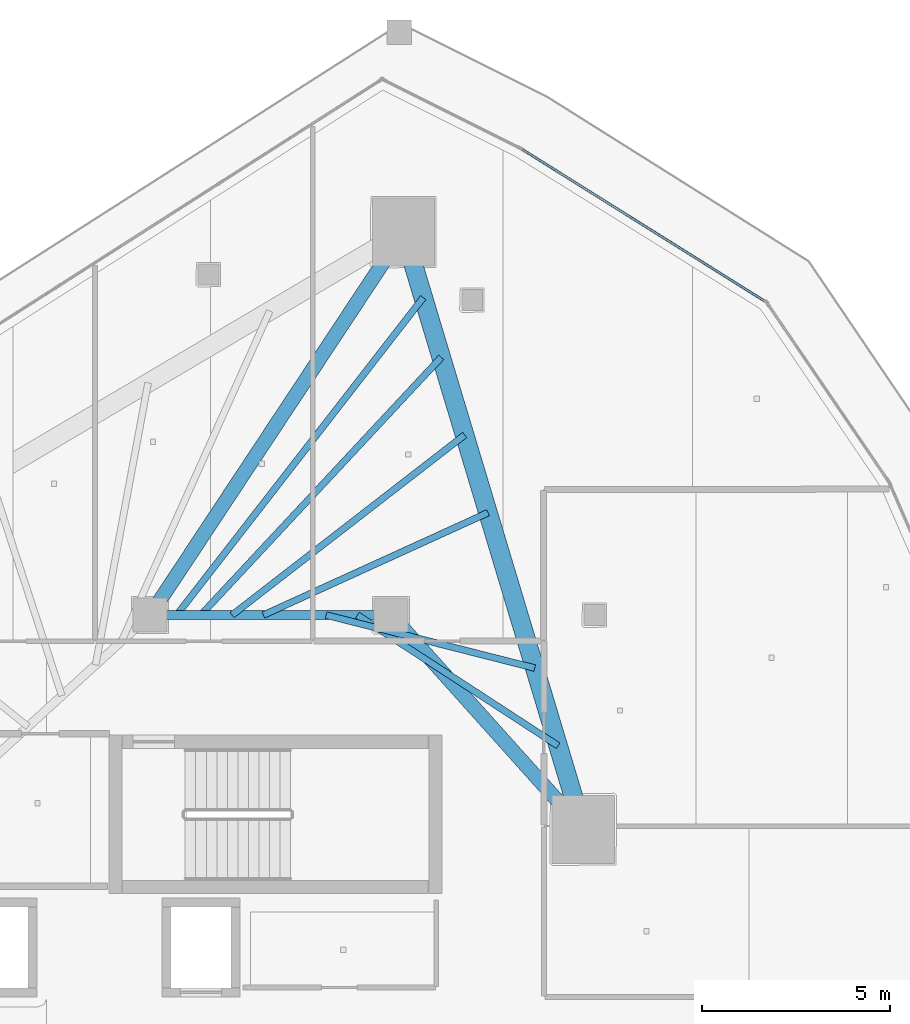
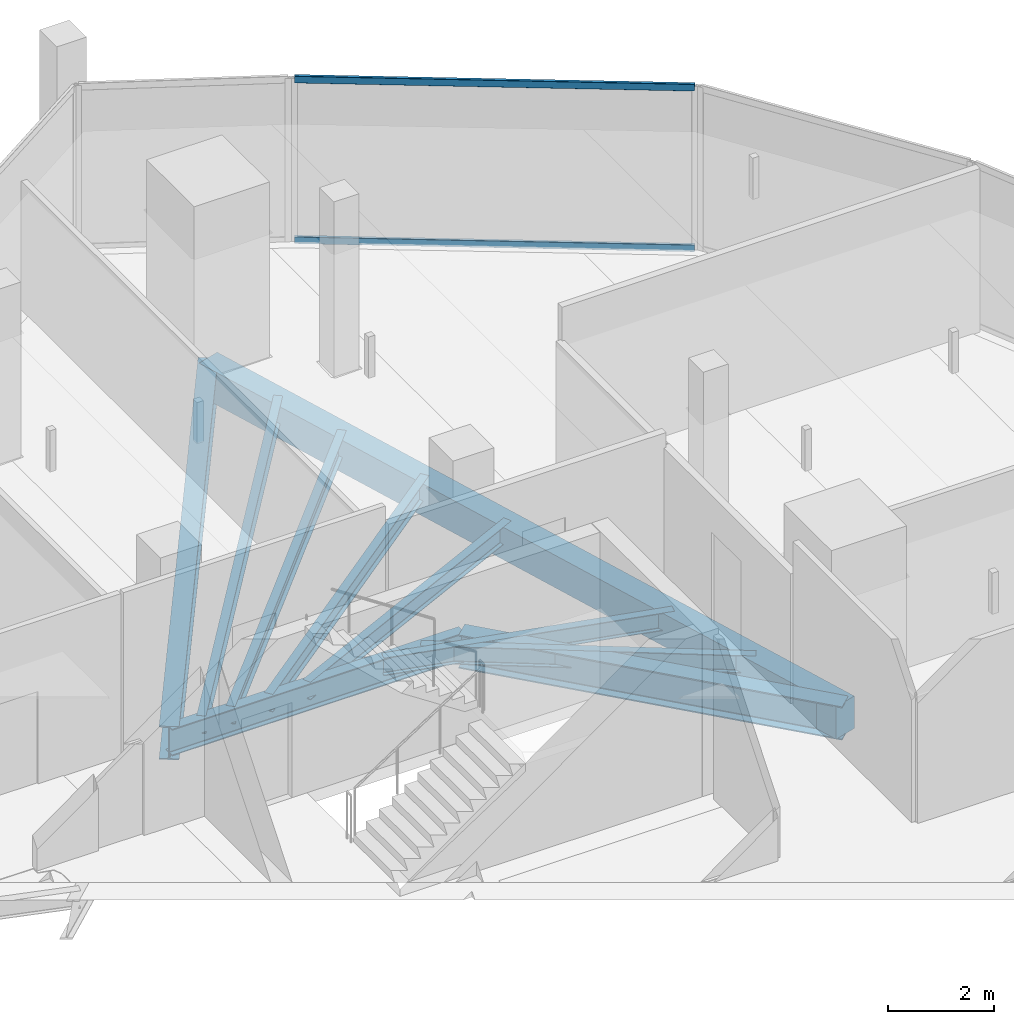
# One storey, part 18 of 36: 10 beams, 2 members, 1 element without a shape of its own.
"""IFC4 building model written with IfcOpenShell, lengths in metres."""

from ifc_helpers import new_model, si_unit, direction, frame, origin, origin_2d, place, context, subcontext, project, spatial, rectangle, hollow_rectangle, i_section, extrude, material, layer, layer_set, material_profile, profile_set, type_object, element, aggregate, save


model = new_model("IFC4")

# Units and contexts
model_context = context("Model", 3, precision=1e-05, world=origin(), true_north=direction((0.0, 1.0)))
body_context = subcontext(model_context, "Body", "Model", "MODEL_VIEW")
ifc_project = project(units=[si_unit("LENGTHUNIT", "METRE"), si_unit("AREAUNIT", "SQUARE_METRE"), si_unit("VOLUMEUNIT", "CUBIC_METRE"), si_unit("PLANEANGLEUNIT", "RADIAN"), si_unit("MASSUNIT", "GRAM", prefix="KILO")], contexts=[model_context])

# Site, building, storey
site_placement = place(None, origin())
site = spatial("IfcSite", under=ifc_project, at=site_placement, CompositionType="ELEMENT")
building_placement = place(site_placement, origin())
building = spatial("IfcBuilding", under=site, at=building_placement, Name="Qorvath Tower", CompositionType="ELEMENT")
storey_placement = place(building_placement, frame((0.0, 0.0, 241.5)))
storey = spatial("IfcBuildingStorey", under=building, at=storey_placement, Name="L56", CompositionType="ELEMENT", Elevation=241.5)

# Beams
ifc_material_1 = material(Name="Steel ASTM A992 Grade 50", Category="steel")
ifc_material_profile_1 = material_profile(ifc_material_1, i_section(OverallWidth=0.381103515625, OverallDepth=0.77294921875, WebThickness=0.0166015625, FlangeThickness=0.027099609375, FilletRadius=0.01904296875, at=origin_2d()), Name="W30x173")
ifc_profile_set_1 = profile_set([ifc_material_profile_1], Name="Steel ASTM A992 Grade 50")
beam_type_1 = type_object("IfcBeamType", Name="BM-FG3", PredefinedType="BEAM", material=ifc_profile_set_1)
beam_1_placement = place(storey_placement, frame((-23.60009765625, 11.449951171875, -0.656494140625), z_axis=(0.551500517741, 0.834174549439, 0.0), x_axis=(-0.834174549439, 0.551500517741, 0.0)))
element("IfcBeam", 1, at=beam_1_placement, inside=storey, type_object=beam_type_1, Name="Radial Floor Girder CC1-MC6 L56", PredefinedType="BEAM", context=body_context, shape_type="SweptSolid", body=[
    extrude(i_section(OverallWidth=0.381103515625, OverallDepth=0.77294921875, WebThickness=0.0166015625, FlangeThickness=0.027099609375, FilletRadius=0.01904296875, at=origin_2d()), origin(), (0.0, 0.0, 1.0), 12.200439453125),
])
beam_2_placement = place(storey_placement, frame((-17.199951171875, 11.449951171875, -0.656494140625), z_axis=(0.667543184261, -0.744571082669, 0.0), x_axis=(0.744571082669, 0.667543184261, 0.0)))
element("IfcBeam", 2, at=beam_2_placement, inside=storey, type_object=beam_type_1, Name="Radial Floor Girder CC2-MC5 L56", PredefinedType="BEAM", context=body_context, shape_type="SweptSolid", body=[
    extrude(i_section(OverallWidth=0.381103515625, OverallDepth=0.77294921875, WebThickness=0.0166015625, FlangeThickness=0.027099609375, FilletRadius=0.01904296875, at=origin_2d()), origin(), (0.0, 0.0, 1.0), 7.644775390625),
])
ifc_material_2 = material(Name="Steel ASTM A992 Grade 50", Category="steel")
ifc_material_profile_2 = material_profile(ifc_material_2, i_section(OverallWidth=0.22998046875, OverallDepth=0.616943359375, WebThickness=0.01318359375, FlangeThickness=0.022216796875, FilletRadius=0.014892578125, at=origin_2d()), Name="W24x94")
ifc_profile_set_2 = profile_set([ifc_material_profile_2], Name="Steel ASTM A992 Grade 50")
beam_type_2 = type_object("IfcBeamType", Name="BM-FG6", PredefinedType="BEAM", material=ifc_profile_set_2)
beam_3_placement = place(storey_placement, frame((-23.60009765625, 11.449951171875, -0.57861328125), z_axis=(1.0, 0.0, 0.0), x_axis=(0.0, 1.0, 0.0)))
element("IfcBeam", 3, at=beam_3_placement, inside=storey, type_object=beam_type_2, Name="Core Ring Girder CC1-CC2 L56", PredefinedType="BEAM", context=body_context, shape_type="SweptSolid", body=[
    extrude(i_section(OverallWidth=0.22998046875, OverallDepth=0.616943359375, WebThickness=0.01318359375, FlangeThickness=0.022216796875, FilletRadius=0.014892578125, at=origin_2d()), origin(), (0.0, 0.0, 1.0), 6.400146484375),
])
ifc_material_3 = material(Name="Steel ASTM A992 Grade 50", Category="steel")
ifc_material_profile_3 = material_profile(ifc_material_3, i_section(OverallWidth=0.177978515625, OverallDepth=0.406005859375, WebThickness=0.0078125, FlangeThickness=0.0126953125, FilletRadius=0.010986328125, at=origin_2d()), Name="W16x40")
ifc_profile_set_3 = profile_set([ifc_material_profile_3], Name="Steel ASTM A992 Grade 50")
beam_type_3 = type_object("IfcBeamType", Name="BM-FJ3", PredefinedType="JOIST", material=ifc_profile_set_3)
beam_4_placement = place(storey_placement, frame((-18.095947265625, 11.449951171875, -0.472900390625), z_axis=(0.838041756057, -0.545606098853, 0.0), x_axis=(0.545606098853, 0.838041756057, 0.0)))
element("IfcBeam", 4, at=beam_4_placement, inside=storey, type_object=beam_type_3, Name="Composite Floor Joist NE1 L56", PredefinedType="JOIST", context=body_context, shape_type="SweptSolid", body=[
    extrude(i_section(OverallWidth=0.177978515625, OverallDepth=0.406005859375, WebThickness=0.0078125, FlangeThickness=0.0126953125, FilletRadius=0.010986328125, at=origin_2d()), origin(), (0.0, 0.0, 1.0), 6.36083984375),
])
beam_5_placement = place(storey_placement, frame((-18.927978515625, 11.449951171875, -0.472900390625), z_axis=(0.969231577698, -0.246150662794, 0.0), x_axis=(0.246150662794, 0.969231577698, 0.0)))
element("IfcBeam", 5, at=beam_5_placement, inside=storey, type_object=beam_type_3, Name="Composite Floor Joist NE2 L56", PredefinedType="JOIST", context=body_context, shape_type="SweptSolid", body=[
    extrude(i_section(OverallWidth=0.177978515625, OverallDepth=0.406005859375, WebThickness=0.0078125, FlangeThickness=0.0126953125, FilletRadius=0.010986328125, at=origin_2d()), origin(), (0.0, 0.0, 1.0), 5.718017578125),
])
beam_6_placement = place(storey_placement, frame((-20.592041015625, 11.449951171875, -0.472900390625), z_axis=(0.909945081179, 0.414728765868, 0.0), x_axis=(-0.414728765868, 0.909945081179, 0.0)))
element("IfcBeam", 6, at=beam_6_placement, inside=storey, type_object=beam_type_3, Name="Composite Floor Joist NE4 L56", PredefinedType="JOIST", context=body_context, shape_type="SweptSolid", body=[
    extrude(i_section(OverallWidth=0.177978515625, OverallDepth=0.406005859375, WebThickness=0.0078125, FlangeThickness=0.0126953125, FilletRadius=0.010986328125, at=origin_2d()), origin(), (0.0, 0.0, 1.0), 6.554931640625),
])
beam_7_placement = place(storey_placement, frame((-21.424072265625, 11.449951171875, -0.472900390625), z_axis=(0.790693445503, 0.612212279555, 0.0), x_axis=(-0.612212279555, 0.790693445503, 0.0)))
element("IfcBeam", 7, at=beam_7_placement, inside=storey, type_object=beam_type_3, Name="Composite Floor Joist NE5 L56", PredefinedType="JOIST", context=body_context, shape_type="SweptSolid", body=[
    extrude(i_section(OverallWidth=0.177978515625, OverallDepth=0.406005859375, WebThickness=0.0078125, FlangeThickness=0.0126953125, FilletRadius=0.010986328125, at=origin_2d()), origin(), (0.0, 0.0, 1.0), 7.810546875),
])
beam_8_placement = place(storey_placement, frame((-22.256103515625, 11.449951171875, -0.472900390625), z_axis=(0.682249490937, 0.731119437654, 0.0), x_axis=(-0.731119437654, 0.682249490937, 0.0)))
element("IfcBeam", 8, at=beam_8_placement, inside=storey, type_object=beam_type_3, Name="Composite Floor Joist NE6 L56", PredefinedType="JOIST", context=body_context, shape_type="SweptSolid", body=[
    extrude(i_section(OverallWidth=0.177978515625, OverallDepth=0.406005859375, WebThickness=0.0078125, FlangeThickness=0.0126953125, FilletRadius=0.010986328125, at=origin_2d()), origin(), (0.0, 0.0, 1.0), 9.362060546875),
])
beam_9_placement = place(storey_placement, frame((-22.89599609375, 11.449951171875, -0.472900390625), z_axis=(0.61345131907, 0.789732536452, 0.0), x_axis=(-0.789732536452, 0.61345131907, 0.0)))
element("IfcBeam", 9, at=beam_9_placement, inside=storey, type_object=beam_type_3, Name="Composite Floor Joist NE7 L56", PredefinedType="JOIST", context=body_context, shape_type="SweptSolid", body=[
    extrude(i_section(OverallWidth=0.177978515625, OverallDepth=0.406005859375, WebThickness=0.0078125, FlangeThickness=0.0126953125, FilletRadius=0.010986328125, at=origin_2d()), origin(), (0.0, 0.0, 1.0), 10.676513671875),
])
ifc_material_4 = material(Name="Concrete C45/55", Category="concrete")
ifc_material_profile_4 = material_profile(ifc_material_4, rectangle(XDim=0.5, YDim=0.75, at=origin_2d()), Name="RCB 750x500")
ifc_profile_set_4 = profile_set([ifc_material_profile_4], Name="Concrete C45/55")
beam_type_4 = type_object("IfcBeamType", Name="BM-RCB3", PredefinedType="SPANDREL", material=ifc_profile_set_4)
beam_10_placement = place(storey_placement, frame((-12.0966796875, 5.7578125, -0.64501953125), z_axis=(-0.28812763802, 0.957592013443, 0.0), x_axis=(-0.957592013443, -0.28812763802, 0.0)))
element("IfcBeam", 10, at=beam_10_placement, inside=storey, type_object=beam_type_4, Name="Perimeter Loggia Frame Beam MC5-MC6 L56", PredefinedType="SPANDREL", context=body_context, shape_type="SweptSolid", body=[
    extrude(rectangle(XDim=0.5, YDim=0.75, at=origin_2d()), origin(), (0.0, 0.0, 1.0), 16.572265625),
])

# Curtain wall, members
ifc_material_5 = material(Name="Anodised aluminium and triple low-E glass", Category="aluminium")
ifc_layer = layer(ifc_material_5, 0.179931640625)
ifc_layer_set = layer_set([ifc_layer], Name="CW-SYS-3")
curtain_wall_type = type_object("IfcCurtainWallType", Name="CW-SYS-3", PredefinedType="NOTDEFINED", material=ifc_layer_set)
curtain_wall_placement = place(storey_placement, origin())
curtain_wall = element("IfcCurtainWall", 11, at=curtain_wall_placement, inside=storey, type_object=curtain_wall_type, Name="Curtain Wall CW-3 CW-T-L56-14.1", PredefinedType="NOTDEFINED")
ifc_material_6 = material(Name="Anodised aluminium 6063-T6", Category="aluminium")
ifc_material_profile_5 = material_profile(ifc_material_6, hollow_rectangle(XDim=0.06494140625, YDim=0.159912109375, WallThickness=0.00341796875, InnerFilletRadius=0.00341796875, OuterFilletRadius=0.007080078125, at=origin_2d()), Name="CWT 160x65")
ifc_profile_set_5 = profile_set([ifc_material_profile_5], Name="Anodised aluminium 6063-T6")
member_type = type_object("IfcMemberType", Name="CWT-160", PredefinedType="USERDEFINED", material=ifc_profile_set_5)
member_1_placement = place(storey_placement, frame((-7.2861328125, 19.7919921875, 0.032470703125), z_axis=(-0.847683443386, 0.530502384357, 0.0), x_axis=(-0.530502384357, -0.847683443386, 0.0)))
member_1 = element("IfcMember", 12, at=member_1_placement, type_object=member_type, Name="CW-3 transom 1.1", ObjectType="TRANSOM", PredefinedType="USERDEFINED", context=body_context, shape_type="SweptSolid", body=[
    extrude(hollow_rectangle(XDim=0.06494140625, YDim=0.159912109375, WallThickness=0.00341796875, InnerFilletRadius=0.00341796875, OuterFilletRadius=0.007080078125, at=origin_2d()), origin(), (0.0, 0.0, 1.0), 7.583251953125),
])
member_2_placement = place(storey_placement, frame((-7.2861328125, 19.7919921875, 3.74755859375), z_axis=(-0.847683443386, 0.530502384357, 0.0), x_axis=(-0.530502384357, -0.847683443386, 0.0)))
member_2 = element("IfcMember", 13, at=member_2_placement, type_object=member_type, Name="CW-3 transom 1.2", ObjectType="TRANSOM", PredefinedType="USERDEFINED", context=body_context, shape_type="SweptSolid", body=[
    extrude(hollow_rectangle(XDim=0.06494140625, YDim=0.159912109375, WallThickness=0.00341796875, InnerFilletRadius=0.00341796875, OuterFilletRadius=0.007080078125, at=origin_2d()), origin(), (0.0, 0.0, 1.0), 7.583251953125),
])
aggregate(curtain_wall, [member_1, member_2])

save(model, "model.ifc")
